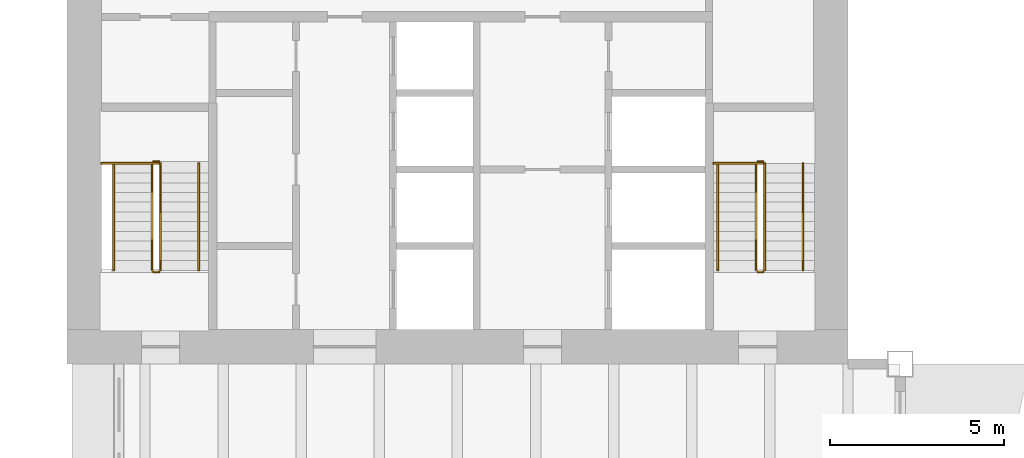
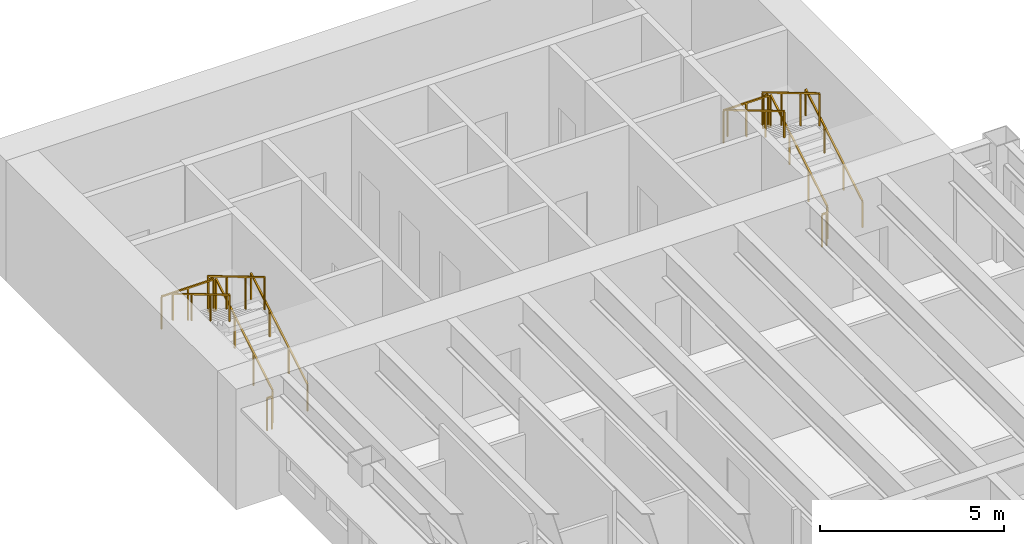
# One storey, part 17 of 17: 14 railings.
"""IFC4 building model written with IfcOpenShell, lengths in metres."""

from ifc_helpers import new_model, si_unit, direction, frame, origin, origin_2d, place, context, subcontext, project, spatial, rectangle, extrude, material, type_object, element, save


model = new_model("IFC4")

# Units and contexts
model_context = context("Model", 3, precision=1e-05, world=origin(), true_north=direction((0.0, 1.0)))
body_context = subcontext(model_context, "Body", "Model", "MODEL_VIEW")
ifc_project = project(units=[si_unit("LENGTHUNIT", "METRE"), si_unit("AREAUNIT", "SQUARE_METRE"), si_unit("VOLUMEUNIT", "CUBIC_METRE"), si_unit("PLANEANGLEUNIT", "RADIAN"), si_unit("MASSUNIT", "GRAM", prefix="KILO")], contexts=[model_context])

# Site, building, storey
site_placement = place(None, origin())
site = spatial("IfcSite", under=ifc_project, at=site_placement, CompositionType="ELEMENT")
building_placement = place(site_placement, origin())
building = spatial("IfcBuilding", under=site, at=building_placement, Name="Sennacour Bend Tower", CompositionType="ELEMENT")
storey_placement = place(building_placement, frame((0.0, 0.0, 219.0)))
storey = spatial("IfcBuildingStorey", under=building, at=storey_placement, Name="L50", CompositionType="ELEMENT", Elevation=219.0)

# Railings
ifc_material = material(Name="Stainless steel", Category="steel")
railing_type_1 = type_object("IfcRailingType", Name="RL-GUARD-1100", PredefinedType="GUARDRAIL", material=ifc_material)
railing_1_placement = place(storey_placement, frame((2.699951171875, 38.699951171875, 0.166748046875)))
element("IfcRailing", 1, at=railing_1_placement, inside=storey, type_object=railing_type_1, Name="L50 SB1 stair guard 1", PredefinedType="GUARDRAIL", context=body_context, shape_type="SweptSolid", body=[
    extrude(rectangle(XDim=0.048095703125, YDim=0.048095703125, at=origin_2d()), frame((0.0, 0.0, 1.076171875), z_axis=(0.0, 0.859308565015, 0.511457515432), x_axis=(-1.0, 0.0, 0.0)), (0.0, 0.0, 1.0), 3.58447265625),
    extrude(rectangle(XDim=0.0419921875, YDim=0.0419921875, at=origin_2d()), origin(), (0.0, 0.0, 1.0), 1.052001953125),
    extrude(rectangle(XDim=0.0419921875, YDim=0.0419921875, at=origin_2d()), frame((0.0, 1.026611328125, 0.611083984375)), (0.0, 0.0, 1.0), 1.052001953125),
    extrude(rectangle(XDim=0.0419921875, YDim=0.0419921875, at=origin_2d()), frame((0.0, 2.053466796875, 1.22216796875)), (0.0, 0.0, 1.0), 1.052001953125),
    extrude(rectangle(XDim=0.0419921875, YDim=0.0419921875, at=origin_2d()), frame((0.0, 3.080078125, 1.833251953125)), (0.0, 0.0, 1.0), 1.052001953125),
])
railing_2_placement = place(storey_placement, frame((2.64990234375, 41.830078125, 2.0)))
element("IfcRailing", 2, at=railing_2_placement, inside=storey, type_object=railing_type_1, Name="L50 SB1 stair guard 2", PredefinedType="GUARDRAIL", context=body_context, shape_type="SweptSolid", body=[
    extrude(rectangle(XDim=0.048095703125, YDim=0.048095703125, at=origin_2d()), frame((0.0, 0.0, 1.076171875), z_axis=(-1.0, 0.0, 0.0), x_axis=(0.0, -1.0, 0.0)), (0.0, 0.0, 1.0), 0.14990234375),
    extrude(rectangle(XDim=0.0419921875, YDim=0.0419921875, at=origin_2d()), origin(), (0.0, 0.0, 1.0), 1.052001953125),
    extrude(rectangle(XDim=0.0419921875, YDim=0.0419921875, at=origin_2d()), frame((-0.14990234375, 0.0, 0.0)), (0.0, 0.0, 1.0), 1.052001953125),
])
railing_3_placement = place(storey_placement, frame((2.449951171875, 41.780029296875, 2.166748046875)))
element("IfcRailing", 3, at=railing_3_placement, inside=storey, type_object=railing_type_1, Name="L50 SB1 stair guard 4", PredefinedType="GUARDRAIL", context=body_context, shape_type="SweptSolid", body=[
    extrude(rectangle(XDim=0.048095703125, YDim=0.048095703125, at=origin_2d()), frame((0.0, 0.0, 1.076171875), z_axis=(0.0, -0.859308565015, 0.511457515432), x_axis=(1.0, 0.0, 0.0)), (0.0, 0.0, 1.0), 3.58447265625),
    extrude(rectangle(XDim=0.0419921875, YDim=0.0419921875, at=origin_2d()), origin(), (0.0, 0.0, 1.0), 1.052001953125),
    extrude(rectangle(XDim=0.0419921875, YDim=0.0419921875, at=origin_2d()), frame((0.0, -1.026611328125, 0.611083984375)), (0.0, 0.0, 1.0), 1.052001953125),
    extrude(rectangle(XDim=0.0419921875, YDim=0.0419921875, at=origin_2d()), frame((0.0, -2.053466796875, 1.22216796875)), (0.0, 0.0, 1.0), 1.052001953125),
    extrude(rectangle(XDim=0.0419921875, YDim=0.0419921875, at=origin_2d()), frame((0.0, -3.080078125, 1.833251953125)), (0.0, 0.0, 1.0), 1.052001953125),
])
railing_4_placement = place(storey_placement, frame((2.64990234375, 38.64990234375, 0.0)))
element("IfcRailing", 4, at=railing_4_placement, inside=storey, type_object=railing_type_1, Name="L50 SB1 stair guard 5", PredefinedType="GUARDRAIL", context=body_context, shape_type="SweptSolid", body=[
    extrude(rectangle(XDim=0.048095703125, YDim=0.048095703125, at=origin_2d()), frame((0.0, 0.0, 1.076171875), z_axis=(-1.0, 0.0, 0.0), x_axis=(0.0, -1.0, 0.0)), (0.0, 0.0, 1.0), 0.14990234375),
    extrude(rectangle(XDim=0.0419921875, YDim=0.0419921875, at=origin_2d()), origin(), (0.0, 0.0, 1.0), 1.052001953125),
    extrude(rectangle(XDim=0.0419921875, YDim=0.0419921875, at=origin_2d()), frame((-0.14990234375, 0.0, 0.0)), (0.0, 0.0, 1.0), 1.052001953125),
])
railing_5_placement = place(storey_placement, frame((2.64990234375, 41.780029296875, 2.0)))
element("IfcRailing", 5, at=railing_5_placement, inside=storey, type_object=railing_type_1, Name="L50 SB1 landing edge guard 78", PredefinedType="GUARDRAIL", context=body_context, shape_type="SweptSolid", body=[
    extrude(rectangle(XDim=0.048095703125, YDim=0.048095703125, at=origin_2d()), frame((0.0, 0.0, 1.076171875), z_axis=(-1.0, 0.0, 0.0), x_axis=(0.0, -1.0, 0.0)), (0.0, 0.0, 1.0), 1.64990234375),
    extrude(rectangle(XDim=0.0419921875, YDim=0.0419921875, at=origin_2d()), origin(), (0.0, 0.0, 1.0), 1.052001953125),
    extrude(rectangle(XDim=0.0419921875, YDim=0.0419921875, at=origin_2d()), frame((-0.824951171875, 0.0, 0.0)), (0.0, 0.0, 1.0), 1.052001953125),
    extrude(rectangle(XDim=0.0419921875, YDim=0.0419921875, at=origin_2d()), frame((-1.64990234375, 0.0, 0.0)), (0.0, 0.0, 1.0), 1.052001953125),
])
railing_6_placement = place(storey_placement, frame((20.10009765625, 38.699951171875, 0.166748046875)))
element("IfcRailing", 6, at=railing_6_placement, inside=storey, type_object=railing_type_1, Name="L50 SB2 stair guard 1", PredefinedType="GUARDRAIL", context=body_context, shape_type="SweptSolid", body=[
    extrude(rectangle(XDim=0.048095703125, YDim=0.048095703125, at=origin_2d()), frame((0.0, 0.0, 1.076171875), z_axis=(0.0, 0.859308565015, 0.511457515432), x_axis=(-1.0, 0.0, 0.0)), (0.0, 0.0, 1.0), 3.58447265625),
    extrude(rectangle(XDim=0.0419921875, YDim=0.0419921875, at=origin_2d()), origin(), (0.0, 0.0, 1.0), 1.052001953125),
    extrude(rectangle(XDim=0.0419921875, YDim=0.0419921875, at=origin_2d()), frame((0.0, 1.026611328125, 0.611083984375)), (0.0, 0.0, 1.0), 1.052001953125),
    extrude(rectangle(XDim=0.0419921875, YDim=0.0419921875, at=origin_2d()), frame((0.0, 2.053466796875, 1.22216796875)), (0.0, 0.0, 1.0), 1.052001953125),
    extrude(rectangle(XDim=0.0419921875, YDim=0.0419921875, at=origin_2d()), frame((0.0, 3.080078125, 1.833251953125)), (0.0, 0.0, 1.0), 1.052001953125),
])
railing_7_placement = place(storey_placement, frame((20.050048828125, 41.830078125, 2.0)))
element("IfcRailing", 7, at=railing_7_placement, inside=storey, type_object=railing_type_1, Name="L50 SB2 stair guard 2", PredefinedType="GUARDRAIL", context=body_context, shape_type="SweptSolid", body=[
    extrude(rectangle(XDim=0.048095703125, YDim=0.048095703125, at=origin_2d()), frame((0.0, 0.0, 1.076171875), z_axis=(-1.0, 0.0, 0.0), x_axis=(0.0, -1.0, 0.0)), (0.0, 0.0, 1.0), 0.150146484375),
    extrude(rectangle(XDim=0.0419921875, YDim=0.0419921875, at=origin_2d()), origin(), (0.0, 0.0, 1.0), 1.052001953125),
    extrude(rectangle(XDim=0.0419921875, YDim=0.0419921875, at=origin_2d()), frame((-0.150146484375, 0.0, 0.0)), (0.0, 0.0, 1.0), 1.052001953125),
])
railing_8_placement = place(storey_placement, frame((19.85009765625, 41.780029296875, 2.166748046875)))
element("IfcRailing", 8, at=railing_8_placement, inside=storey, type_object=railing_type_1, Name="L50 SB2 stair guard 4", PredefinedType="GUARDRAIL", context=body_context, shape_type="SweptSolid", body=[
    extrude(rectangle(XDim=0.048095703125, YDim=0.048095703125, at=origin_2d()), frame((0.0, 0.0, 1.076171875), z_axis=(0.0, -0.859308565015, 0.511457515432), x_axis=(1.0, 0.0, 0.0)), (0.0, 0.0, 1.0), 3.58447265625),
    extrude(rectangle(XDim=0.0419921875, YDim=0.0419921875, at=origin_2d()), origin(), (0.0, 0.0, 1.0), 1.052001953125),
    extrude(rectangle(XDim=0.0419921875, YDim=0.0419921875, at=origin_2d()), frame((0.0, -1.026611328125, 0.611083984375)), (0.0, 0.0, 1.0), 1.052001953125),
    extrude(rectangle(XDim=0.0419921875, YDim=0.0419921875, at=origin_2d()), frame((0.0, -2.053466796875, 1.22216796875)), (0.0, 0.0, 1.0), 1.052001953125),
    extrude(rectangle(XDim=0.0419921875, YDim=0.0419921875, at=origin_2d()), frame((0.0, -3.080078125, 1.833251953125)), (0.0, 0.0, 1.0), 1.052001953125),
])
railing_9_placement = place(storey_placement, frame((20.050048828125, 38.64990234375, 0.0)))
element("IfcRailing", 9, at=railing_9_placement, inside=storey, type_object=railing_type_1, Name="L50 SB2 stair guard 5", PredefinedType="GUARDRAIL", context=body_context, shape_type="SweptSolid", body=[
    extrude(rectangle(XDim=0.048095703125, YDim=0.048095703125, at=origin_2d()), frame((0.0, 0.0, 1.076171875), z_axis=(-1.0, 0.0, 0.0), x_axis=(0.0, -1.0, 0.0)), (0.0, 0.0, 1.0), 0.150146484375),
    extrude(rectangle(XDim=0.0419921875, YDim=0.0419921875, at=origin_2d()), origin(), (0.0, 0.0, 1.0), 1.052001953125),
    extrude(rectangle(XDim=0.0419921875, YDim=0.0419921875, at=origin_2d()), frame((-0.150146484375, 0.0, 0.0)), (0.0, 0.0, 1.0), 1.052001953125),
])
railing_10_placement = place(storey_placement, frame((20.050048828125, 41.780029296875, 2.0)))
element("IfcRailing", 10, at=railing_10_placement, inside=storey, type_object=railing_type_1, Name="L50 SB2 landing edge guard 67", PredefinedType="GUARDRAIL", context=body_context, shape_type="SweptSolid", body=[
    extrude(rectangle(XDim=0.048095703125, YDim=0.048095703125, at=origin_2d()), frame((0.0, 0.0, 1.076171875), z_axis=(-1.0, 0.0, 0.0), x_axis=(0.0, -1.0, 0.0)), (0.0, 0.0, 1.0), 1.425048828125),
    extrude(rectangle(XDim=0.0419921875, YDim=0.0419921875, at=origin_2d()), origin(), (0.0, 0.0, 1.0), 1.052001953125),
    extrude(rectangle(XDim=0.0419921875, YDim=0.0419921875, at=origin_2d()), frame((-0.71240234375, 0.0, 0.0)), (0.0, 0.0, 1.0), 1.052001953125),
    extrude(rectangle(XDim=0.0419921875, YDim=0.0419921875, at=origin_2d()), frame((-1.425048828125, 0.0, 0.0)), (0.0, 0.0, 1.0), 1.052001953125),
])
railing_type_2 = type_object("IfcRailingType", Name="RL-HANDRAIL-900", PredefinedType="HANDRAIL", material=ifc_material)
railing_11_placement = place(storey_placement, frame((3.800048828125, 38.699951171875, 0.166748046875)))
element("IfcRailing", 11, at=railing_11_placement, inside=storey, type_object=railing_type_2, Name="L50 SB1 stair handrail 1", PredefinedType="HANDRAIL", context=body_context, shape_type="SweptSolid", body=[
    extrude(rectangle(XDim=0.048095703125, YDim=0.048095703125, at=origin_2d()), frame((0.0, 0.0, 0.8759765625), z_axis=(0.0, 0.859308565015, 0.511457515432), x_axis=(-1.0, 0.0, 0.0)), (0.0, 0.0, 1.0), 3.58447265625),
    extrude(rectangle(XDim=0.0419921875, YDim=0.0419921875, at=origin_2d()), origin(), (0.0, 0.0, 1.0), 0.851806640625),
    extrude(rectangle(XDim=0.0419921875, YDim=0.0419921875, at=origin_2d()), frame((0.0, 1.026611328125, 0.611083984375)), (0.0, 0.0, 1.0), 0.851806640625),
    extrude(rectangle(XDim=0.0419921875, YDim=0.0419921875, at=origin_2d()), frame((0.0, 2.053466796875, 1.22216796875)), (0.0, 0.0, 1.0), 0.851806640625),
    extrude(rectangle(XDim=0.0419921875, YDim=0.0419921875, at=origin_2d()), frame((0.0, 3.080078125, 1.833251953125)), (0.0, 0.0, 1.0), 0.851806640625),
])
railing_12_placement = place(storey_placement, frame((1.35009765625, 41.780029296875, 2.166748046875)))
element("IfcRailing", 12, at=railing_12_placement, inside=storey, type_object=railing_type_2, Name="L50 SB1 stair handrail 2", PredefinedType="HANDRAIL", context=body_context, shape_type="SweptSolid", body=[
    extrude(rectangle(XDim=0.048095703125, YDim=0.048095703125, at=origin_2d()), frame((0.0, 0.0, 0.8759765625), z_axis=(0.0, -0.859308565015, 0.511457515432), x_axis=(1.0, 0.0, 0.0)), (0.0, 0.0, 1.0), 3.58447265625),
    extrude(rectangle(XDim=0.0419921875, YDim=0.0419921875, at=origin_2d()), origin(), (0.0, 0.0, 1.0), 0.851806640625),
    extrude(rectangle(XDim=0.0419921875, YDim=0.0419921875, at=origin_2d()), frame((0.0, -1.026611328125, 0.611083984375)), (0.0, 0.0, 1.0), 0.851806640625),
    extrude(rectangle(XDim=0.0419921875, YDim=0.0419921875, at=origin_2d()), frame((0.0, -2.053466796875, 1.22216796875)), (0.0, 0.0, 1.0), 0.851806640625),
    extrude(rectangle(XDim=0.0419921875, YDim=0.0419921875, at=origin_2d()), frame((0.0, -3.080078125, 1.833251953125)), (0.0, 0.0, 1.0), 0.851806640625),
])
railing_13_placement = place(storey_placement, frame((21.199951171875, 38.699951171875, 0.166748046875)))
element("IfcRailing", 13, at=railing_13_placement, inside=storey, type_object=railing_type_2, Name="L50 SB2 stair handrail 1", PredefinedType="HANDRAIL", context=body_context, shape_type="SweptSolid", body=[
    extrude(rectangle(XDim=0.048095703125, YDim=0.048095703125, at=origin_2d()), frame((0.0, 0.0, 0.8759765625), z_axis=(0.0, 0.859308565015, 0.511457515432), x_axis=(-1.0, 0.0, 0.0)), (0.0, 0.0, 1.0), 3.58447265625),
    extrude(rectangle(XDim=0.0419921875, YDim=0.0419921875, at=origin_2d()), origin(), (0.0, 0.0, 1.0), 0.851806640625),
    extrude(rectangle(XDim=0.0419921875, YDim=0.0419921875, at=origin_2d()), frame((0.0, 1.026611328125, 0.611083984375)), (0.0, 0.0, 1.0), 0.851806640625),
    extrude(rectangle(XDim=0.0419921875, YDim=0.0419921875, at=origin_2d()), frame((0.0, 2.053466796875, 1.22216796875)), (0.0, 0.0, 1.0), 0.851806640625),
    extrude(rectangle(XDim=0.0419921875, YDim=0.0419921875, at=origin_2d()), frame((0.0, 3.080078125, 1.833251953125)), (0.0, 0.0, 1.0), 0.851806640625),
])
railing_14_placement = place(storey_placement, frame((18.75, 41.780029296875, 2.166748046875)))
element("IfcRailing", 14, at=railing_14_placement, inside=storey, type_object=railing_type_2, Name="L50 SB2 stair handrail 2", PredefinedType="HANDRAIL", context=body_context, shape_type="SweptSolid", body=[
    extrude(rectangle(XDim=0.048095703125, YDim=0.048095703125, at=origin_2d()), frame((0.0, 0.0, 0.8759765625), z_axis=(0.0, -0.859308565015, 0.511457515432), x_axis=(1.0, 0.0, 0.0)), (0.0, 0.0, 1.0), 3.58447265625),
    extrude(rectangle(XDim=0.0419921875, YDim=0.0419921875, at=origin_2d()), origin(), (0.0, 0.0, 1.0), 0.851806640625),
    extrude(rectangle(XDim=0.0419921875, YDim=0.0419921875, at=origin_2d()), frame((0.0, -1.026611328125, 0.611083984375)), (0.0, 0.0, 1.0), 0.851806640625),
    extrude(rectangle(XDim=0.0419921875, YDim=0.0419921875, at=origin_2d()), frame((0.0, -2.053466796875, 1.22216796875)), (0.0, 0.0, 1.0), 0.851806640625),
    extrude(rectangle(XDim=0.0419921875, YDim=0.0419921875, at=origin_2d()), frame((0.0, -3.080078125, 1.833251953125)), (0.0, 0.0, 1.0), 0.851806640625),
])

save(model, "model.ifc")
